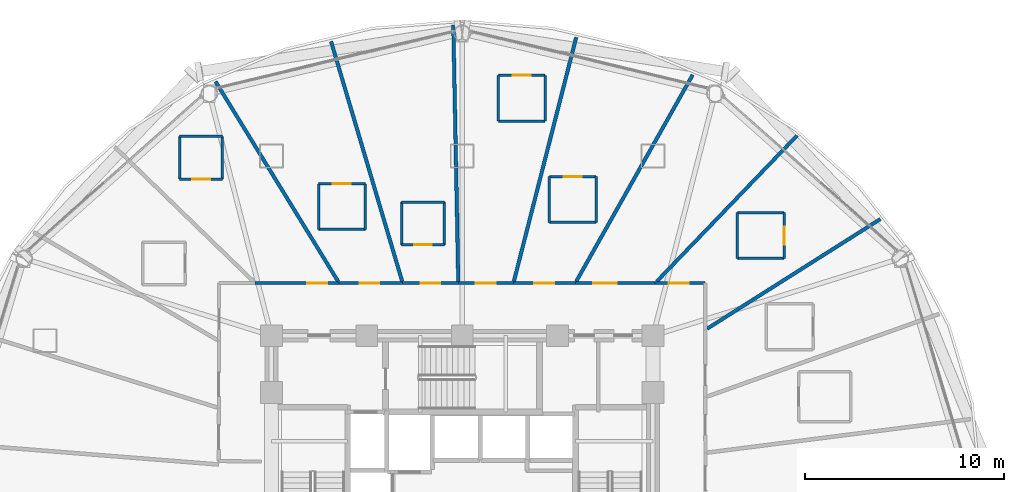
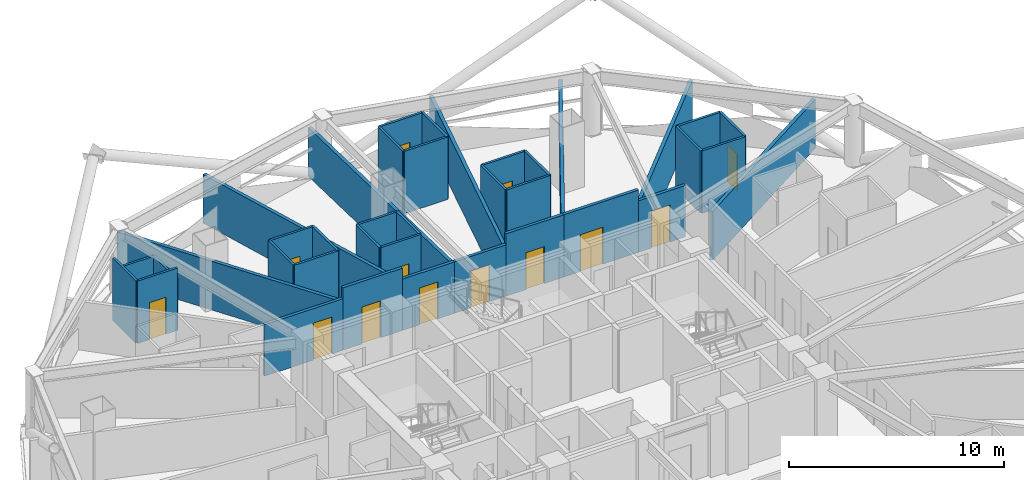
# One storey, part 26 of 31: 38 walls, 13 doors, 13 openings.
"""IFC4 building model written with IfcOpenShell, lengths in metres."""

from ifc_helpers import new_model, si_unit, direction, frame, frame_2d, origin, place, context, subcontext, project, spatial, rectangle, extrude, material, layer, layer_set, type_object, element, fill, save


model = new_model("IFC4")

# Units and contexts
model_context = context("Model", 3, precision=1e-05, world=origin(), true_north=direction((0.0, 1.0)))
body_context = subcontext(model_context, "Body", "Model", "MODEL_VIEW")
ifc_project = project(units=[si_unit("LENGTHUNIT", "METRE"), si_unit("AREAUNIT", "SQUARE_METRE"), si_unit("VOLUMEUNIT", "CUBIC_METRE"), si_unit("PLANEANGLEUNIT", "RADIAN"), si_unit("MASSUNIT", "GRAM", prefix="KILO")], contexts=[model_context])

# Site, building, storey
site_placement = place(None, origin())
site = spatial("IfcSite", under=ifc_project, at=site_placement, CompositionType="ELEMENT")
building_placement = place(site_placement, origin())
building = spatial("IfcBuilding", under=site, at=building_placement, Name="Vantalir Tower", CompositionType="ELEMENT")
storey_placement = place(building_placement, frame((0.0, 0.0, 34.5)))
storey = spatial("IfcBuildingStorey", under=building, at=storey_placement, Name="L07", CompositionType="ELEMENT", Elevation=34.5)

# Walls
ifc_material_1 = material(Name="Moisture-resistant en-suite partition", Category="gypsum")
ifc_layer_1 = layer(ifc_material_1, 0.125)
ifc_layer_set_1 = layer_set([ifc_layer_1], Name="Moisture-resistant en-suite partition")
wall_type_1 = type_object("IfcWallType", Name="WL-BATH-125", PredefinedType="PARTITIONING", material=ifc_layer_set_1)
for number, where, z_axis, x_axis, name in (
    (1, (45.34912109375, 36.341064453125, 0.0), (0.0, 0.0, 1.0), (1.0, 0.0, 0.0), "L07 En-suite 03 South Wall"),
    (2, (45.34912109375, 38.64111328125, 0.0), (0.0, 0.0, 1.0), (1.0, 0.0, 0.0), "L07 En-suite 03 North Wall"),
):
    element("IfcWall", number, at=place(storey_placement, frame(where, z_axis=z_axis, x_axis=x_axis)), inside=storey, type_object=wall_type_1, Name=name, PredefinedType="PARTITIONING", context=body_context, shape_type="SweptSolid", body=[
        extrude(rectangle(XDim=2.349853515625, YDim=0.125, at=frame_2d((1.1748046875, 0.0))), origin(), (0.0, 0.0, 1.0), 3.550048828125),
    ])
wall_1_placement = place(storey_placement, frame((45.34912109375, 36.341064453125, 0.0), z_axis=(0.0, 0.0, 1.0), x_axis=(0.0, 1.0, 0.0)))
element("IfcWall", 3, at=wall_1_placement, inside=storey, type_object=wall_type_1, Name="L07 En-suite 03 West Wall", PredefinedType="PARTITIONING", context=body_context, shape_type="SweptSolid", body=[
    extrude(rectangle(XDim=2.300048828125, YDim=0.125, at=frame_2d((1.14990234375, 0.0))), origin(), (0.0, 0.0, 1.0), 3.550048828125),
])

# Wall, opening, door
wall_2_placement = place(storey_placement, frame((47.698974609375, 36.341064453125, 0.0), z_axis=(0.0, 0.0, 1.0), x_axis=(0.0, 1.0, 0.0)))
wall_2 = element("IfcWall", 4, at=wall_2_placement, inside=storey, type_object=wall_type_1, Name="L07 En-suite 03 East Wall", PredefinedType="PARTITIONING", context=body_context, shape_type="SweptSolid", body=[
    extrude(rectangle(XDim=2.300048828125, YDim=0.125, at=frame_2d((1.14990234375, 0.0))), origin(), (0.0, 0.0, 1.0), 3.550048828125),
])
opening_1_placement = place(wall_2_placement, frame((0.699951171875, 0.0, 0.0)))
opening_1 = element("IfcOpeningElement", 5, at=opening_1_placement, cuts=wall_2, Name="Opening D-WC", PredefinedType="OPENING", context=body_context, shape_type="SweptSolid", body=[
    extrude(rectangle(XDim=0.89990234375, YDim=2.10009765625, at=frame_2d((0.449951171875, 1.050048828125))), frame((0.0, 0.072509765625, 0.0), z_axis=(0.0, -1.0, 0.0), x_axis=(1.0, 0.0, 0.0)), (0.0, 0.0, 1.0), 0.14501953125),
])
ifc_material_2 = material(Name="Moisture-resistant hardwood door", Category="wood")
door_type_1 = type_object("IfcDoorType", Name="DR-ENSUITE-900", OperationType="NOTDEFINED", PredefinedType="DOOR", material=ifc_material_2)
door_1_placement = place(opening_1_placement, origin())
door_1 = element("IfcDoor", 6, at=door_1_placement, inside=storey, type_object=door_type_1, Name="L07 En-suite 03 Door", OperationType="SINGLE_SWING_LEFT", OverallHeight=2.10009765625, OverallWidth=0.89990234375, PredefinedType="DOOR", context=body_context, shape_type="SweptSolid", body=[
    extrude(rectangle(XDim=0.89990234375, YDim=2.10009765625, at=frame_2d((0.449951171875, 1.050048828125))), frame((0.0, 0.02490234375, 0.0), z_axis=(0.0, -1.0, 0.0), x_axis=(1.0, 0.0, 0.0)), (0.0, 0.0, 1.0), 0.050048828125),
])
fill(opening_1, door_1)

# Wall
wall_3_placement = place(storey_placement, frame((35.89208984375, 38.154052734375, 0.0), z_axis=(0.0, 0.0, 1.0), x_axis=(1.0, 0.0, 0.0)))
element("IfcWall", 7, at=wall_3_placement, inside=storey, type_object=wall_type_1, Name="L07 En-suite 05 South Wall", PredefinedType="PARTITIONING", context=body_context, shape_type="SweptSolid", body=[
    extrude(rectangle(XDim=2.349853515625, YDim=0.125, at=frame_2d((1.1748046875, 0.0))), origin(), (0.0, 0.0, 1.0), 3.550048828125),
])

# Wall, opening, door
wall_4_placement = place(storey_placement, frame((35.89208984375, 40.4541015625, 0.0), z_axis=(0.0, 0.0, 1.0), x_axis=(1.0, 0.0, 0.0)))
wall_4 = element("IfcWall", 8, at=wall_4_placement, inside=storey, type_object=wall_type_1, Name="L07 En-suite 05 North Wall", PredefinedType="PARTITIONING", context=body_context, shape_type="SweptSolid", body=[
    extrude(rectangle(XDim=2.349853515625, YDim=0.125, at=frame_2d((1.1748046875, 0.0))), origin(), (0.0, 0.0, 1.0), 3.550048828125),
])
opening_2_placement = place(wall_4_placement, frame((0.72509765625, 0.0, 0.0)))
opening_2 = element("IfcOpeningElement", 9, at=opening_2_placement, cuts=wall_4, Name="Opening D-WC", PredefinedType="OPENING", context=body_context, shape_type="SweptSolid", body=[
    extrude(rectangle(XDim=0.89990234375, YDim=2.10009765625, at=frame_2d((0.449951171875, 1.050048828125))), frame((0.0, 0.072509765625, 0.0), z_axis=(0.0, -1.0, 0.0), x_axis=(1.0, 0.0, 0.0)), (0.0, 0.0, 1.0), 0.14501953125),
])
door_2_placement = place(opening_2_placement, frame((0.89990234375, 0.0, 0.0), z_axis=(0.0, 0.0, 1.0), x_axis=(-1.0, 0.0, 0.0)))
door_2 = element("IfcDoor", 10, at=door_2_placement, inside=storey, type_object=door_type_1, Name="L07 En-suite 05 Door", OperationType="SINGLE_SWING_LEFT", OverallHeight=2.10009765625, OverallWidth=0.89990234375, PredefinedType="DOOR", context=body_context, shape_type="SweptSolid", body=[
    extrude(rectangle(XDim=0.89990234375, YDim=2.10009765625, at=frame_2d((0.449951171875, 1.050048828125))), frame((0.0, 0.02490234375, 0.0), z_axis=(0.0, -1.0, 0.0), x_axis=(1.0, 0.0, 0.0)), (0.0, 0.0, 1.0), 0.050048828125),
])
fill(opening_2, door_2)

# Walls
for number, where, z_axis, x_axis, name in (
    (11, (35.89208984375, 38.154052734375, 0.0), (0.0, 0.0, 1.0), (0.0, 1.0, 0.0), "L07 En-suite 05 West Wall"),
    (12, (38.241943359375, 38.154052734375, 0.0), (0.0, 0.0, 1.0), (0.0, 1.0, 0.0), "L07 En-suite 05 East Wall"),
):
    element("IfcWall", number, at=place(storey_placement, frame(where, z_axis=z_axis, x_axis=x_axis)), inside=storey, type_object=wall_type_1, Name=name, PredefinedType="PARTITIONING", context=body_context, shape_type="SweptSolid", body=[
        extrude(rectangle(XDim=2.300048828125, YDim=0.125, at=frame_2d((1.14990234375, 0.0))), origin(), (0.0, 0.0, 1.0), 3.550048828125),
    ])
wall_5_placement = place(storey_placement, frame((33.320068359375, 43.251953125, 0.0), z_axis=(0.0, 0.0, 1.0), x_axis=(1.0, 0.0, 0.0)))
element("IfcWall", 13, at=wall_5_placement, inside=storey, type_object=wall_type_1, Name="L07 En-suite 06 South Wall", PredefinedType="PARTITIONING", context=body_context, shape_type="SweptSolid", body=[
    extrude(rectangle(XDim=2.349853515625, YDim=0.125, at=frame_2d((1.1748046875, 0.0))), origin(), (0.0, 0.0, 1.0), 3.550048828125),
])

# Wall, opening, door
wall_6_placement = place(storey_placement, frame((33.320068359375, 45.552001953125, 0.0), z_axis=(0.0, 0.0, 1.0), x_axis=(1.0, 0.0, 0.0)))
wall_6 = element("IfcWall", 14, at=wall_6_placement, inside=storey, type_object=wall_type_1, Name="L07 En-suite 06 North Wall", PredefinedType="PARTITIONING", context=body_context, shape_type="SweptSolid", body=[
    extrude(rectangle(XDim=2.349853515625, YDim=0.125, at=frame_2d((1.1748046875, 0.0))), origin(), (0.0, 0.0, 1.0), 3.550048828125),
])
opening_3_placement = place(wall_6_placement, frame((0.72509765625, 0.0, 0.0)))
opening_3 = element("IfcOpeningElement", 15, at=opening_3_placement, cuts=wall_6, Name="Opening D-WC", PredefinedType="OPENING", context=body_context, shape_type="SweptSolid", body=[
    extrude(rectangle(XDim=0.89990234375, YDim=2.10009765625, at=frame_2d((0.449951171875, 1.050048828125))), frame((0.0, 0.072509765625, 0.0), z_axis=(0.0, -1.0, 0.0), x_axis=(1.0, 0.0, 0.0)), (0.0, 0.0, 1.0), 0.14501953125),
])
door_3_placement = place(opening_3_placement, frame((0.89990234375, 0.0, 0.0), z_axis=(0.0, 0.0, 1.0), x_axis=(-1.0, 0.0, 0.0)))
door_3 = element("IfcDoor", 16, at=door_3_placement, inside=storey, type_object=door_type_1, Name="L07 En-suite 06 Door", OperationType="SINGLE_SWING_RIGHT", OverallHeight=2.10009765625, OverallWidth=0.89990234375, PredefinedType="DOOR", context=body_context, shape_type="SweptSolid", body=[
    extrude(rectangle(XDim=0.89990234375, YDim=2.10009765625, at=frame_2d((0.449951171875, 1.050048828125))), frame((0.0, 0.02490234375, 0.0), z_axis=(0.0, -1.0, 0.0), x_axis=(1.0, 0.0, 0.0)), (0.0, 0.0, 1.0), 0.050048828125),
])
fill(opening_3, door_3)

# Walls
for number, where, z_axis, x_axis, name in (
    (17, (33.320068359375, 43.251953125, 0.0), (0.0, 0.0, 1.0), (0.0, 1.0, 0.0), "L07 En-suite 06 West Wall"),
    (18, (35.669921875, 43.251953125, 0.0), (0.0, 0.0, 1.0), (0.0, 1.0, 0.0), "L07 En-suite 06 East Wall"),
):
    element("IfcWall", number, at=place(storey_placement, frame(where, z_axis=z_axis, x_axis=x_axis)), inside=storey, type_object=wall_type_1, Name=name, PredefinedType="PARTITIONING", context=body_context, shape_type="SweptSolid", body=[
        extrude(rectangle(XDim=2.300048828125, YDim=0.125, at=frame_2d((1.14990234375, 0.0))), origin(), (0.0, 0.0, 1.0), 3.550048828125),
    ])

# Wall, opening, door
wall_7_placement = place(storey_placement, frame((28.455078125, 37.02001953125, 0.0), z_axis=(0.0, 0.0, 1.0), x_axis=(1.0, 0.0, 0.0)))
wall_7 = element("IfcWall", 19, at=wall_7_placement, inside=storey, type_object=wall_type_1, Name="L07 En-suite 07 South Wall", PredefinedType="PARTITIONING", context=body_context, shape_type="SweptSolid", body=[
    extrude(rectangle(XDim=2.14990234375, YDim=0.125, at=frame_2d((1.074951171875, 0.0))), origin(), (0.0, 0.0, 1.0), 3.550048828125),
])
opening_4_placement = place(wall_7_placement, frame((0.625, 0.0, 0.0)))
opening_4 = element("IfcOpeningElement", 20, at=opening_4_placement, cuts=wall_7, Name="Opening D-WC", PredefinedType="OPENING", context=body_context, shape_type="SweptSolid", body=[
    extrude(rectangle(XDim=0.89990234375, YDim=2.10009765625, at=frame_2d((0.449951171875, 1.050048828125))), frame((0.0, 0.072509765625, 0.0), z_axis=(0.0, -1.0, 0.0), x_axis=(1.0, 0.0, 0.0)), (0.0, 0.0, 1.0), 0.14501953125),
])
door_4_placement = place(opening_4_placement, origin())
door_4 = element("IfcDoor", 21, at=door_4_placement, inside=storey, type_object=door_type_1, Name="L07 En-suite 07 Door", OperationType="SINGLE_SWING_LEFT", OverallHeight=2.10009765625, OverallWidth=0.89990234375, PredefinedType="DOOR", context=body_context, shape_type="SweptSolid", body=[
    extrude(rectangle(XDim=0.89990234375, YDim=2.10009765625, at=frame_2d((0.449951171875, 1.050048828125))), frame((0.0, 0.02490234375, 0.0), z_axis=(0.0, -1.0, 0.0), x_axis=(1.0, 0.0, 0.0)), (0.0, 0.0, 1.0), 0.050048828125),
])
fill(opening_4, door_4)

# Walls
for number, where, z_axis, x_axis, name in (
    (22, (28.455078125, 39.169921875, 0.0), (0.0, 0.0, 1.0), (1.0, 0.0, 0.0), "L07 En-suite 07 North Wall"),
    (23, (28.455078125, 37.02001953125, 0.0), (0.0, 0.0, 1.0), (0.0, 1.0, 0.0), "L07 En-suite 07 West Wall"),
    (24, (30.60498046875, 37.02001953125, 0.0), (0.0, 0.0, 1.0), (0.0, 1.0, 0.0), "L07 En-suite 07 East Wall"),
):
    element("IfcWall", number, at=place(storey_placement, frame(where, z_axis=z_axis, x_axis=x_axis)), inside=storey, type_object=wall_type_1, Name=name, PredefinedType="PARTITIONING", context=body_context, shape_type="SweptSolid", body=[
        extrude(rectangle(XDim=2.14990234375, YDim=0.125, at=frame_2d((1.074951171875, 0.0))), origin(), (0.0, 0.0, 1.0), 3.550048828125),
    ])
wall_8_placement = place(storey_placement, frame((24.27294921875, 37.798095703125, 0.0), z_axis=(0.0, 0.0, 1.0), x_axis=(1.0, 0.0, 0.0)))
element("IfcWall", 25, at=wall_8_placement, inside=storey, type_object=wall_type_1, Name="L07 En-suite 08 South Wall", PredefinedType="PARTITIONING", context=body_context, shape_type="SweptSolid", body=[
    extrude(rectangle(XDim=2.35009765625, YDim=0.125, at=frame_2d((1.175048828125, 0.0))), origin(), (0.0, 0.0, 1.0), 3.550048828125),
])

# Wall, opening, door
wall_9_placement = place(storey_placement, frame((24.27294921875, 40.097900390625, 0.0), z_axis=(0.0, 0.0, 1.0), x_axis=(1.0, 0.0, 0.0)))
wall_9 = element("IfcWall", 26, at=wall_9_placement, inside=storey, type_object=wall_type_1, Name="L07 En-suite 08 North Wall", PredefinedType="PARTITIONING", context=body_context, shape_type="SweptSolid", body=[
    extrude(rectangle(XDim=2.35009765625, YDim=0.125, at=frame_2d((1.175048828125, 0.0))), origin(), (0.0, 0.0, 1.0), 3.550048828125),
])
opening_5_placement = place(wall_9_placement, frame((0.72509765625, 0.0, 0.0)))
opening_5 = element("IfcOpeningElement", 27, at=opening_5_placement, cuts=wall_9, Name="Opening D-WC", PredefinedType="OPENING", context=body_context, shape_type="SweptSolid", body=[
    extrude(rectangle(XDim=0.89990234375, YDim=2.10009765625, at=frame_2d((0.449951171875, 1.050048828125))), frame((0.0, 0.072509765625, 0.0), z_axis=(0.0, -1.0, 0.0), x_axis=(1.0, 0.0, 0.0)), (0.0, 0.0, 1.0), 0.14501953125),
])
door_5_placement = place(opening_5_placement, frame((0.89990234375, 0.0, 0.0), z_axis=(0.0, 0.0, 1.0), x_axis=(-1.0, 0.0, 0.0)))
door_5 = element("IfcDoor", 28, at=door_5_placement, inside=storey, type_object=door_type_1, Name="L07 En-suite 08 Door", OperationType="SINGLE_SWING_RIGHT", OverallHeight=2.10009765625, OverallWidth=0.89990234375, PredefinedType="DOOR", context=body_context, shape_type="SweptSolid", body=[
    extrude(rectangle(XDim=0.89990234375, YDim=2.10009765625, at=frame_2d((0.449951171875, 1.050048828125))), frame((0.0, 0.02490234375, 0.0), z_axis=(0.0, -1.0, 0.0), x_axis=(1.0, 0.0, 0.0)), (0.0, 0.0, 1.0), 0.050048828125),
])
fill(opening_5, door_5)

# Walls
for number, where, z_axis, x_axis, name in (
    (29, (24.27294921875, 37.798095703125, 0.0), (0.0, 0.0, 1.0), (0.0, 1.0, 0.0), "L07 En-suite 08 West Wall"),
    (30, (26.623046875, 37.798095703125, 0.0), (0.0, 0.0, 1.0), (0.0, 1.0, 0.0), "L07 En-suite 08 East Wall"),
):
    element("IfcWall", number, at=place(storey_placement, frame(where, z_axis=z_axis, x_axis=x_axis)), inside=storey, type_object=wall_type_1, Name=name, PredefinedType="PARTITIONING", context=body_context, shape_type="SweptSolid", body=[
        extrude(rectangle(XDim=2.2998046875, YDim=0.125, at=frame_2d((1.14990234375, 0.0))), origin(), (0.0, 0.0, 1.0), 3.550048828125),
    ])

# Wall, opening, door
wall_10_placement = place(storey_placement, frame((17.284912109375, 40.333984375, 0.0), z_axis=(0.0, 0.0, 1.0), x_axis=(1.0, 0.0, 0.0)))
wall_10 = element("IfcWall", 31, at=wall_10_placement, inside=storey, type_object=wall_type_1, Name="L07 En-suite 09 South Wall", PredefinedType="PARTITIONING", context=body_context, shape_type="SweptSolid", body=[
    extrude(rectangle(XDim=2.150146484375, YDim=0.125, at=frame_2d((1.0751953125, 0.0))), origin(), (0.0, 0.0, 1.0), 3.550048828125),
])
opening_6_placement = place(wall_10_placement, frame((0.625, 0.0, 0.0)))
opening_6 = element("IfcOpeningElement", 32, at=opening_6_placement, cuts=wall_10, Name="Opening D-WC", PredefinedType="OPENING", context=body_context, shape_type="SweptSolid", body=[
    extrude(rectangle(XDim=0.89990234375, YDim=2.10009765625, at=frame_2d((0.449951171875, 1.050048828125))), frame((0.0, 0.072509765625, 0.0), z_axis=(0.0, -1.0, 0.0), x_axis=(1.0, 0.0, 0.0)), (0.0, 0.0, 1.0), 0.14501953125),
])
door_6_placement = place(opening_6_placement, origin())
door_6 = element("IfcDoor", 33, at=door_6_placement, inside=storey, type_object=door_type_1, Name="L07 En-suite 09 Door", OperationType="SINGLE_SWING_LEFT", OverallHeight=2.10009765625, OverallWidth=0.89990234375, PredefinedType="DOOR", context=body_context, shape_type="SweptSolid", body=[
    extrude(rectangle(XDim=0.89990234375, YDim=2.10009765625, at=frame_2d((0.449951171875, 1.050048828125))), frame((0.0, 0.02490234375, 0.0), z_axis=(0.0, -1.0, 0.0), x_axis=(1.0, 0.0, 0.0)), (0.0, 0.0, 1.0), 0.050048828125),
])
fill(opening_6, door_6)

# Walls
wall_11_placement = place(storey_placement, frame((17.284912109375, 42.48388671875, 0.0), z_axis=(0.0, 0.0, 1.0), x_axis=(1.0, 0.0, 0.0)))
element("IfcWall", 34, at=wall_11_placement, inside=storey, type_object=wall_type_1, Name="L07 En-suite 09 North Wall", PredefinedType="PARTITIONING", context=body_context, shape_type="SweptSolid", body=[
    extrude(rectangle(XDim=2.150146484375, YDim=0.125, at=frame_2d((1.0751953125, 0.0))), origin(), (0.0, 0.0, 1.0), 2.927978515625),
])
wall_12_placement = place(storey_placement, frame((17.284912109375, 40.333984375, 0.0), z_axis=(0.0, 0.0, 1.0), x_axis=(0.0, 1.0, 0.0)))
element("IfcWall", 35, at=wall_12_placement, inside=storey, type_object=wall_type_1, Name="L07 En-suite 09 West Wall", PredefinedType="PARTITIONING", context=body_context, shape_type="SweptSolid", body=[
    extrude(rectangle(XDim=2.14990234375, YDim=0.125, at=frame_2d((1.074951171875, 0.0))), origin(), (0.0, 0.0, 1.0), 3.550048828125),
])
wall_13_placement = place(storey_placement, frame((19.43505859375, 40.333984375, 0.0), z_axis=(0.0, 0.0, 1.0), x_axis=(0.0, 1.0, 0.0)))
element("IfcWall", 36, at=wall_13_placement, inside=storey, type_object=wall_type_1, Name="L07 En-suite 09 East Wall", PredefinedType="PARTITIONING", context=body_context, shape_type="SweptSolid", body=[
    extrude(rectangle(XDim=2.14990234375, YDim=0.125, at=frame_2d((1.074951171875, 0.0))), origin(), (0.0, 0.0, 1.0), 2.927978515625),
])

# Wall, opening, door
ifc_material_3 = material(Name="Fire-rated hotel corridor acoustic partition", Category="gypsum")
ifc_layer_2 = layer(ifc_material_3, 0.159912109375)
ifc_layer_set_2 = layer_set([ifc_layer_2], Name="Fire-rated hotel corridor acoustic partition")
wall_type_2 = type_object("IfcWallType", Name="WL-CORR-160", PredefinedType="PARTITIONING", material=ifc_layer_set_2)
wall_14_placement = place(storey_placement, frame((21.0830078125, 35.097900390625, 0.0), z_axis=(0.0, 0.0, 1.0), x_axis=(1.0, 0.0, 0.0)))
wall_14 = element("IfcWall", 37, at=wall_14_placement, inside=storey, type_object=wall_type_2, Name="L07 Corridor Partition 06", PredefinedType="PARTITIONING", context=body_context, shape_type="SweptSolid", body=[
    extrude(rectangle(XDim=4.22509765625, YDim=0.159912109375, at=frame_2d((2.112548828125, 0.0))), origin(), (0.0, 0.0, 1.0), 2.927978515625),
])
opening_7_placement = place(wall_14_placement, frame((2.62890625, 0.0, 0.0)))
opening_7 = element("IfcOpeningElement", 38, at=opening_7_placement, cuts=wall_14, Name="Opening D-GUEST", PredefinedType="OPENING", context=body_context, shape_type="SweptSolid", body=[
    extrude(rectangle(XDim=1.0, YDim=2.10009765625, at=frame_2d((0.5, 1.050048828125))), frame((0.0, 0.08984375, 0.0), z_axis=(0.0, -1.0, 0.0), x_axis=(1.0, 0.0, 0.0)), (0.0, 0.0, 1.0), 0.179931640625),
])
ifc_material_4 = material(Name="Solid-core teak veneer acoustic fire door", Category="wood")
door_type_2 = type_object("IfcDoorType", Name="DR-GUEST-ENTRY-1000", OperationType="NOTDEFINED", PredefinedType="DOOR", material=ifc_material_4)
door_7_placement = place(opening_7_placement, origin())
door_7 = element("IfcDoor", 39, at=door_7_placement, inside=storey, type_object=door_type_2, Name="L07 Twin Queen Hotel Room 09 Door", OperationType="SINGLE_SWING_LEFT", OverallHeight=2.10009765625, OverallWidth=1.0, PredefinedType="DOOR", context=body_context, shape_type="SweptSolid", body=[
    extrude(rectangle(XDim=1.0, YDim=2.10009765625, at=frame_2d((0.5, 1.050048828125))), frame((0.0, 0.02490234375, 0.0), z_axis=(0.0, -1.0, 0.0), x_axis=(1.0, 0.0, 0.0)), (0.0, 0.0, 1.0), 0.050048828125),
])
fill(opening_7, door_7)

wall_15_placement = place(storey_placement, frame((25.30810546875, 35.097900390625, 0.0), z_axis=(0.0, 0.0, 1.0), x_axis=(1.0, 0.0, 0.0)))
wall_15 = element("IfcWall", 40, at=wall_15_placement, inside=storey, type_object=wall_type_2, Name="L07 Corridor Partition 07", PredefinedType="PARTITIONING", context=body_context, shape_type="SweptSolid", body=[
    extrude(rectangle(XDim=3.198974609375, YDim=0.159912109375, at=frame_2d((1.599609375, 0.0))), origin(), (0.0, 0.0, 1.0), 3.550048828125),
])
opening_8_placement = place(wall_15_placement, frame((1.027099609375, 0.0, 0.0)))
opening_8 = element("IfcOpeningElement", 41, at=opening_8_placement, cuts=wall_15, Name="Opening D-GUEST", PredefinedType="OPENING", context=body_context, shape_type="SweptSolid", body=[
    extrude(rectangle(XDim=1.0, YDim=2.10009765625, at=frame_2d((0.5, 1.050048828125))), frame((0.0, 0.08984375, 0.0), z_axis=(0.0, -1.0, 0.0), x_axis=(1.0, 0.0, 0.0)), (0.0, 0.0, 1.0), 0.179931640625),
])
door_8_placement = place(opening_8_placement, origin())
door_8 = element("IfcDoor", 42, at=door_8_placement, inside=storey, type_object=door_type_2, Name="L07 Twin Queen Hotel Room 08 Door", OperationType="SINGLE_SWING_RIGHT", OverallHeight=2.10009765625, OverallWidth=1.0, PredefinedType="DOOR", context=body_context, shape_type="SweptSolid", body=[
    extrude(rectangle(XDim=1.0, YDim=2.10009765625, at=frame_2d((0.5, 1.050048828125))), frame((0.0, 0.02490234375, 0.0), z_axis=(0.0, -1.0, 0.0), x_axis=(1.0, 0.0, 0.0)), (0.0, 0.0, 1.0), 0.050048828125),
])
fill(opening_8, door_8)

wall_16_placement = place(storey_placement, frame((28.507080078125, 35.097900390625, 0.0), z_axis=(0.0, 0.0, 1.0), x_axis=(1.0, 0.0, 0.0)))
wall_16 = element("IfcWall", 43, at=wall_16_placement, inside=storey, type_object=wall_type_2, Name="L07 Corridor Partition 08", PredefinedType="PARTITIONING", context=body_context, shape_type="SweptSolid", body=[
    extrude(rectangle(XDim=2.7978515625, YDim=0.159912109375, at=frame_2d((1.39892578125, 0.0))), origin(), (0.0, 0.0, 1.0), 2.927978515625),
])
opening_9_placement = place(wall_16_placement, frame((0.89892578125, 0.0, 0.0)))
opening_9 = element("IfcOpeningElement", 44, at=opening_9_placement, cuts=wall_16, Name="Opening D-GUEST", PredefinedType="OPENING", context=body_context, shape_type="SweptSolid", body=[
    extrude(rectangle(XDim=1.0, YDim=2.10009765625, at=frame_2d((0.5, 1.050048828125))), frame((0.0, 0.08984375, 0.0), z_axis=(0.0, -1.0, 0.0), x_axis=(1.0, 0.0, 0.0)), (0.0, 0.0, 1.0), 0.179931640625),
])
door_9_placement = place(opening_9_placement, origin())
door_9 = element("IfcDoor", 45, at=door_9_placement, inside=storey, type_object=door_type_2, Name="L07 Deluxe King Hotel Room 07 Door", OperationType="SINGLE_SWING_LEFT", OverallHeight=2.10009765625, OverallWidth=1.0, PredefinedType="DOOR", context=body_context, shape_type="SweptSolid", body=[
    extrude(rectangle(XDim=1.0, YDim=2.10009765625, at=frame_2d((0.5, 1.050048828125))), frame((0.0, 0.02490234375, 0.0), z_axis=(0.0, -1.0, 0.0), x_axis=(1.0, 0.0, 0.0)), (0.0, 0.0, 1.0), 0.050048828125),
])
fill(opening_9, door_9)

wall_17_placement = place(storey_placement, frame((31.304931640625, 35.097900390625, 0.0), z_axis=(0.0, 0.0, 1.0), x_axis=(1.0, 0.0, 0.0)))
wall_17 = element("IfcWall", 46, at=wall_17_placement, inside=storey, type_object=wall_type_2, Name="L07 Corridor Partition 09", PredefinedType="PARTITIONING", context=body_context, shape_type="SweptSolid", body=[
    extrude(rectangle(XDim=2.774169921875, YDim=0.159912109375, at=frame_2d((1.38720703125, 0.0))), origin(), (0.0, 0.0, 1.0), 2.927978515625),
])
opening_10_placement = place(wall_17_placement, frame((0.886962890625, 0.0, 0.0)))
opening_10 = element("IfcOpeningElement", 47, at=opening_10_placement, cuts=wall_17, Name="Opening D-GUEST", PredefinedType="OPENING", context=body_context, shape_type="SweptSolid", body=[
    extrude(rectangle(XDim=1.0, YDim=2.10009765625, at=frame_2d((0.5, 1.050048828125))), frame((0.0, 0.08984375, 0.0), z_axis=(0.0, -1.0, 0.0), x_axis=(1.0, 0.0, 0.0)), (0.0, 0.0, 1.0), 0.179931640625),
])
door_10_placement = place(opening_10_placement, origin())
door_10 = element("IfcDoor", 48, at=door_10_placement, inside=storey, type_object=door_type_2, Name="L07 Deluxe King Hotel Room 06 Door", OperationType="SINGLE_SWING_RIGHT", OverallHeight=2.10009765625, OverallWidth=1.0, PredefinedType="DOOR", context=body_context, shape_type="SweptSolid", body=[
    extrude(rectangle(XDim=1.0, YDim=2.10009765625, at=frame_2d((0.5, 1.050048828125))), frame((0.0, 0.02490234375, 0.0), z_axis=(0.0, -1.0, 0.0), x_axis=(1.0, 0.0, 0.0)), (0.0, 0.0, 1.0), 0.050048828125),
])
fill(opening_10, door_10)

wall_18_placement = place(storey_placement, frame((34.0791015625, 35.097900390625, 0.0), z_axis=(0.0, 0.0, 1.0), x_axis=(1.0, 0.0, 0.0)))
wall_18 = element("IfcWall", 49, at=wall_18_placement, inside=storey, type_object=wall_type_2, Name="L07 Corridor Partition 10", PredefinedType="PARTITIONING", context=body_context, shape_type="SweptSolid", body=[
    extrude(rectangle(XDim=3.11279296875, YDim=0.159912109375, at=frame_2d((1.556396484375, 0.0))), origin(), (0.0, 0.0, 1.0), 3.550048828125),
])
opening_11_placement = place(wall_18_placement, frame((1.055908203125, 0.0, 0.0)))
opening_11 = element("IfcOpeningElement", 50, at=opening_11_placement, cuts=wall_18, Name="Opening D-GUEST", PredefinedType="OPENING", context=body_context, shape_type="SweptSolid", body=[
    extrude(rectangle(XDim=1.0, YDim=2.10009765625, at=frame_2d((0.5, 1.050048828125))), frame((0.0, 0.08984375, 0.0), z_axis=(0.0, -1.0, 0.0), x_axis=(1.0, 0.0, 0.0)), (0.0, 0.0, 1.0), 0.179931640625),
])
door_11_placement = place(opening_11_placement, origin())
door_11 = element("IfcDoor", 51, at=door_11_placement, inside=storey, type_object=door_type_2, Name="L07 Twin Queen Hotel Room 05 Door", OperationType="SINGLE_SWING_LEFT", OverallHeight=2.10009765625, OverallWidth=1.0, PredefinedType="DOOR", context=body_context, shape_type="SweptSolid", body=[
    extrude(rectangle(XDim=1.0, YDim=2.10009765625, at=frame_2d((0.5, 1.050048828125))), frame((0.0, 0.02490234375, 0.0), z_axis=(0.0, -1.0, 0.0), x_axis=(1.0, 0.0, 0.0)), (0.0, 0.0, 1.0), 0.050048828125),
])
fill(opening_11, door_11)

wall_19_placement = place(storey_placement, frame((37.19189453125, 35.097900390625, 0.0), z_axis=(0.0, 0.0, 1.0), x_axis=(1.0, 0.0, 0.0)))
wall_19 = element("IfcWall", 52, at=wall_19_placement, inside=storey, type_object=wall_type_2, Name="L07 Corridor Partition 11", PredefinedType="PARTITIONING", context=body_context, shape_type="SweptSolid", body=[
    extrude(rectangle(XDim=4.01904296875, YDim=0.159912109375, at=frame_2d((2.009521484375, 0.0))), origin(), (0.0, 0.0, 1.0), 3.550048828125),
])
opening_12_placement = place(wall_19_placement, frame((0.89501953125, 0.0, 0.0)))
opening_12 = element("IfcOpeningElement", 53, at=opening_12_placement, cuts=wall_19, Name="Opening D-STE", PredefinedType="OPENING", context=body_context, shape_type="SweptSolid", body=[
    extrude(rectangle(XDim=1.199951171875, YDim=2.10009765625, at=frame_2d((0.60009765625, 1.050048828125))), frame((0.0, 0.08984375, 0.0), z_axis=(0.0, -1.0, 0.0), x_axis=(1.0, 0.0, 0.0)), (0.0, 0.0, 1.0), 0.179931640625),
])
ifc_material_5 = material(Name="Solid-core teak veneer suite entrance door", Category="wood")
door_type_3 = type_object("IfcDoorType", Name="DR-SUITE-ENTRY-1200", OperationType="NOTDEFINED", PredefinedType="DOOR", material=ifc_material_5)
door_12_placement = place(opening_12_placement, origin())
door_12 = element("IfcDoor", 54, at=door_12_placement, inside=storey, type_object=door_type_3, Name="L07 Club Reading Lounge 04 Door", OperationType="SINGLE_SWING_RIGHT", OverallHeight=2.10009765625, OverallWidth=1.199951171875, PredefinedType="DOOR", context=body_context, shape_type="SweptSolid", body=[
    extrude(rectangle(XDim=1.199951171875, YDim=2.10009765625, at=frame_2d((0.60009765625, 1.050048828125))), frame((0.0, 0.02490234375, 0.0), z_axis=(0.0, -1.0, 0.0), x_axis=(1.0, 0.0, 0.0)), (0.0, 0.0, 1.0), 0.050048828125),
])
fill(opening_12, door_12)

wall_20_placement = place(storey_placement, frame((41.2109375, 35.097900390625, 0.0), z_axis=(0.0, 0.0, 1.0), x_axis=(1.0, 0.0, 0.0)))
wall_20 = element("IfcWall", 55, at=wall_20_placement, inside=storey, type_object=wall_type_2, Name="L07 Corridor Partition 12", PredefinedType="PARTITIONING", context=body_context, shape_type="SweptSolid", body=[
    extrude(rectangle(XDim=2.52001953125, YDim=0.159912109375, at=frame_2d((1.260009765625, 0.0))), origin(), (0.0, 0.0, 1.0), 2.927978515625),
])
opening_13_placement = place(wall_20_placement, frame((0.693115234375, 0.0, 0.0)))
opening_13 = element("IfcOpeningElement", 56, at=opening_13_placement, cuts=wall_20, Name="Opening D-GUEST", PredefinedType="OPENING", context=body_context, shape_type="SweptSolid", body=[
    extrude(rectangle(XDim=1.0, YDim=2.10009765625, at=frame_2d((0.5, 1.050048828125))), frame((0.0, 0.08984375, 0.0), z_axis=(0.0, -1.0, 0.0), x_axis=(1.0, 0.0, 0.0)), (0.0, 0.0, 1.0), 0.179931640625),
])
door_13_placement = place(opening_13_placement, origin())
door_13 = element("IfcDoor", 57, at=door_13_placement, inside=storey, type_object=door_type_2, Name="L07 Deluxe King Hotel Room 03 Door", OperationType="SINGLE_SWING_LEFT", OverallHeight=2.10009765625, OverallWidth=1.0, PredefinedType="DOOR", context=body_context, shape_type="SweptSolid", body=[
    extrude(rectangle(XDim=1.0, YDim=2.10009765625, at=frame_2d((0.5, 1.050048828125))), frame((0.0, 0.02490234375, 0.0), z_axis=(0.0, -1.0, 0.0), x_axis=(1.0, 0.0, 0.0)), (0.0, 0.0, 1.0), 0.050048828125),
])
fill(opening_13, door_13)

# Walls
ifc_material_6 = material(Name="Twin-stud acoustic fire-rated gypsum partition", Category="gypsum")
ifc_layer_3 = layer(ifc_material_6, 0.179931640625)
ifc_layer_set_3 = layer_set([ifc_layer_3], Name="Twin-stud acoustic fire-rated gypsum partition")
wall_type_3 = type_object("IfcWallType", Name="WL-GUEST-180", PredefinedType="PARTITIONING", material=ifc_layer_set_3)
wall_21_placement = place(storey_placement, frame((43.827880859375, 32.802978515625, 0.0), z_axis=(0.0, 0.0, 1.0), x_axis=(0.844965578972, 0.534820689908, 0.0)))
element("IfcWall", 58, at=wall_21_placement, inside=storey, type_object=wall_type_3, Name="L07 Radial Suite Partition 03", PredefinedType="PARTITIONING", context=body_context, shape_type="SweptSolid", body=[
    extrude(rectangle(XDim=10.317626953125, YDim=0.179931640625, at=frame_2d((5.15869140625, 0.0))), origin(), (0.0, 0.0, 1.0), 2.77490234375),
])
wall_22_placement = place(storey_placement, frame((41.2880859375, 35.177978515625, 0.0), z_axis=(0.0, 0.0, 1.0), x_axis=(0.69313696183, 0.720805904627, 0.0)))
element("IfcWall", 59, at=wall_22_placement, inside=storey, type_object=wall_type_3, Name="L07 Radial Suite Partition 04", PredefinedType="PARTITIONING", context=body_context, shape_type="SweptSolid", body=[
    extrude(rectangle(XDim=10.19140625, YDim=0.179931640625, at=frame_2d((5.095703125, 0.0))), origin(), (0.0, 0.0, 1.0), 2.77490234375),
])
wall_23_placement = place(storey_placement, frame((37.237060546875, 35.177978515625, 0.0), z_axis=(0.0, 0.0, 1.0), x_axis=(0.491050305755, 0.871131216992, 0.0)))
element("IfcWall", 60, at=wall_23_placement, inside=storey, type_object=wall_type_3, Name="L07 Radial Suite Partition 05", PredefinedType="PARTITIONING", context=body_context, shape_type="SweptSolid", body=[
    extrude(rectangle(XDim=11.939697265625, YDim=0.179931640625, at=frame_2d((5.9697265625, 0.0))), origin(), (0.0, 0.0, 1.0), 2.77490234375),
])
wall_24_placement = place(storey_placement, frame((34.10009765625, 35.177978515625, 0.0), z_axis=(0.0, 0.0, 1.0), x_axis=(0.247424388209, 0.968907205113, 0.0)))
element("IfcWall", 61, at=wall_24_placement, inside=storey, type_object=wall_type_3, Name="L07 Radial Suite Partition 06", PredefinedType="PARTITIONING", context=body_context, shape_type="SweptSolid", body=[
    extrude(rectangle(XDim=12.682373046875, YDim=0.179931640625, at=frame_2d((6.34130859375, 0.0))), origin(), (0.0, 0.0, 1.0), 2.77490234375),
])
wall_25_placement = place(storey_placement, frame((31.303955078125, 35.177978515625, 0.0), z_axis=(0.0, 0.0, 1.0), x_axis=(-0.019374520589, 0.99981229636, 0.0)))
element("IfcWall", 62, at=wall_25_placement, inside=storey, type_object=wall_type_3, Name="L07 Radial Suite Partition 07", PredefinedType="PARTITIONING", context=body_context, shape_type="SweptSolid", body=[
    extrude(rectangle(XDim=12.903564453125, YDim=0.179931640625, at=frame_2d((6.45166015625, 0.0))), origin(), (0.0, 0.0, 1.0), 2.77490234375),
])
wall_26_placement = place(storey_placement, frame((28.48291015625, 35.177978515625, 0.0), z_axis=(0.0, 0.0, 1.0), x_axis=(-0.284246635631, 0.958751193028, 0.0)))
element("IfcWall", 63, at=wall_26_placement, inside=storey, type_object=wall_type_3, Name="L07 Radial Suite Partition 08", PredefinedType="PARTITIONING", context=body_context, shape_type="SweptSolid", body=[
    extrude(rectangle(XDim=12.601806640625, YDim=0.179931640625, at=frame_2d((6.30078125, 0.0))), origin(), (0.0, 0.0, 1.0), 2.77490234375),
])
wall_27_placement = place(storey_placement, frame((25.259033203125, 35.177978515625, 0.0), z_axis=(0.0, 0.0, 1.0), x_axis=(-0.522777856327, 0.852468951302, 0.0)))
element("IfcWall", 64, at=wall_27_placement, inside=storey, type_object=wall_type_3, Name="L07 Radial Suite Partition 09", PredefinedType="PARTITIONING", context=body_context, shape_type="SweptSolid", body=[
    extrude(rectangle(XDim=11.804443359375, YDim=0.179931640625, at=frame_2d((5.90234375, 0.0))), origin(), (0.0, 0.0, 1.0), 2.77490234375),
])

save(model, "model.ifc")
